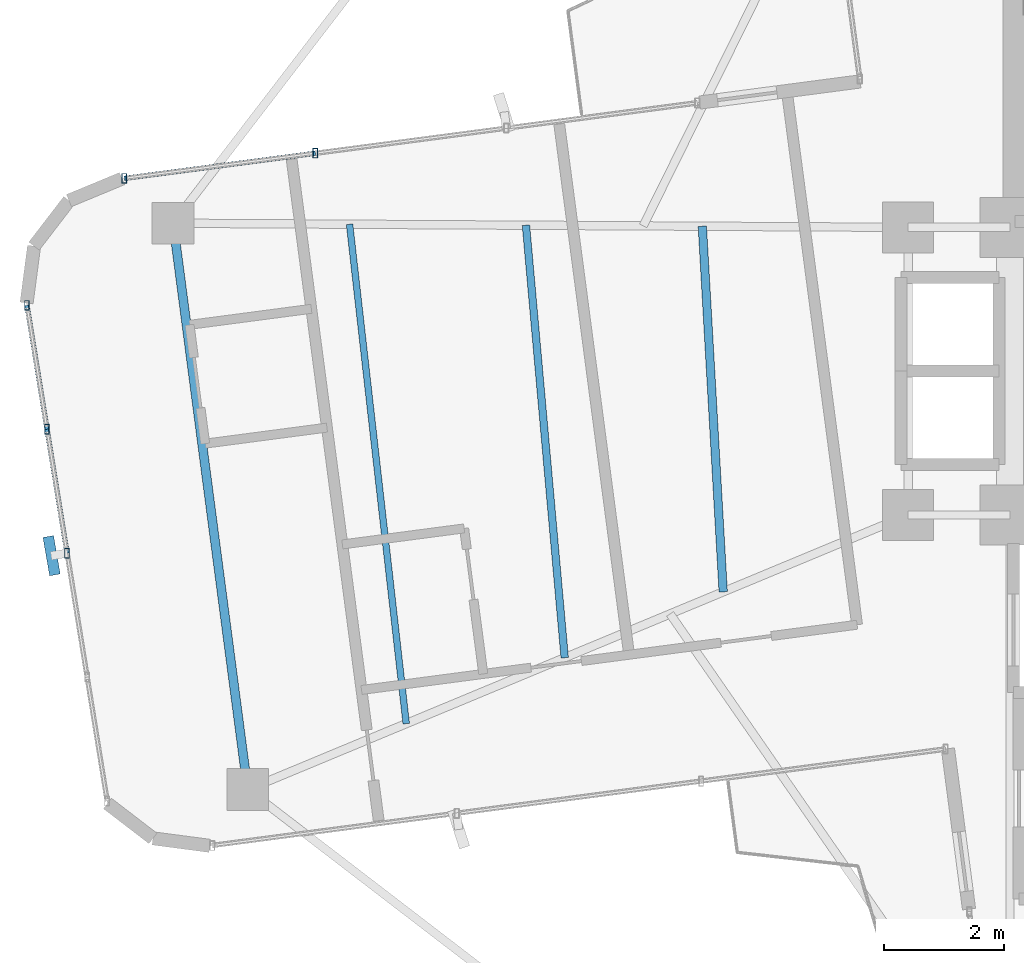
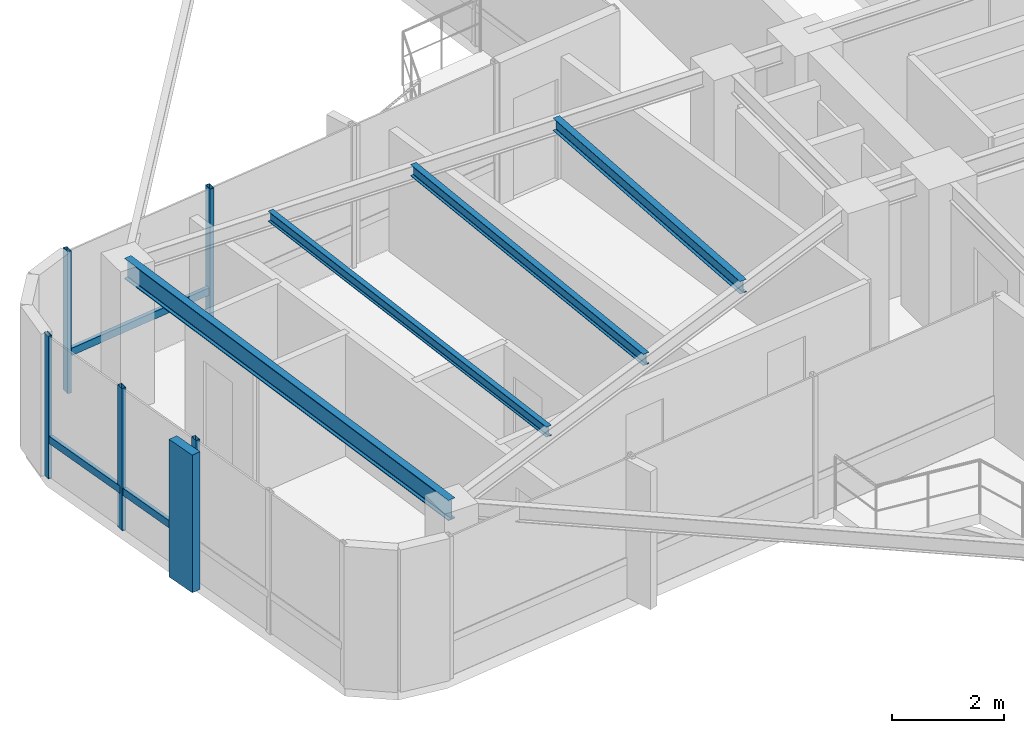
# One storey, part 7 of 22: 9 members, 4 beams, 2 elements without a shape of their own.
"""IFC4 building model written with IfcOpenShell, lengths in metres."""

from ifc_helpers import new_model, si_unit, direction, frame, origin, origin_2d, place, context, subcontext, project, spatial, rectangle, hollow_rectangle, i_section, extrude, source, transform, mapped, material, material_profile, profile_set, type_object, element, aggregate, save


model = new_model("IFC4")

# Units and contexts
model_context = context("Model", 3, precision=1e-05, world=origin(), true_north=direction((0.0, 1.0)))
body_context = subcontext(model_context, "Body", "Model", "MODEL_VIEW")
ifc_project = project(units=[si_unit("LENGTHUNIT", "METRE"), si_unit("AREAUNIT", "SQUARE_METRE"), si_unit("VOLUMEUNIT", "CUBIC_METRE"), si_unit("PLANEANGLEUNIT", "RADIAN"), si_unit("MASSUNIT", "GRAM", prefix="KILO")], contexts=[model_context])

# Site, building, storey
site_placement = place(None, origin())
site = spatial("IfcSite", under=ifc_project, at=site_placement, CompositionType="ELEMENT")
building_placement = place(site_placement, origin())
building = spatial("IfcBuilding", under=site, at=building_placement, Name="Sahyath Konkavel Grand Hotel", CompositionType="ELEMENT")
storey_placement = place(building_placement, frame((0.0, 0.0, 244.5)))
storey = spatial("IfcBuildingStorey", under=building, at=storey_placement, Name="L68", CompositionType="ELEMENT", Elevation=244.5)

# Beams
ifc_material_1 = material(Name="Steel E350", Category="steel")
ifc_material_profile_1 = material_profile(ifc_material_1, i_section(OverallWidth=0.14990234375, OverallDepth=0.449951171875, WebThickness=0.009521484375, FlangeThickness=0.017333984375, FilletRadius=0.014892578125, at=origin_2d()), Name="ISMB 450")
ifc_profile_set_1 = profile_set([ifc_material_profile_1], Name="Steel E350")
beam_type_1 = type_object("IfcBeamType", Name="BM-ISMB450", PredefinedType="BEAM", material=ifc_profile_set_1)
shared_shape_1 = source(origin(), body_context, "Body", "SweptSolid", [
    extrude(i_section(OverallWidth=0.14990234375, OverallDepth=0.449951171875, WebThickness=0.009521484375, FlangeThickness=0.017333984375, FilletRadius=0.014892578125, at=origin_2d()), origin(), (0.0, 0.0, 1.0), 9.533935546875),
])
beam_1_placement = place(storey_placement, frame((-17.767333984375, 2.468994140625, 2.885009765625), z_axis=(0.130546587129, -0.99144217612, 0.0), x_axis=(0.99144217612, 0.130546587129, 0.0)))
element("IfcBeam", 1, at=beam_1_placement, inside=storey, type_object=beam_type_1, Name="L68 Wing Tip Edge Beam W", PredefinedType="BEAM", context=body_context, shape_type="MappedRepresentation", body=[
    mapped(shared_shape_1, transform((0.0, 0.0, 0.0), scale=1.0)),
])
ifc_material_profile_2 = material_profile(ifc_material_1, i_section(OverallWidth=0.139892578125, OverallDepth=0.27490234375, WebThickness=0.00634765625, FlangeThickness=0.0087890625, FilletRadius=0.012939453125, at=origin_2d()), Name="ISLB 275")
ifc_profile_set_2 = profile_set([ifc_material_profile_2], Name="Steel E350")
beam_type_2 = type_object("IfcBeamType", Name="BM-ISLB275", PredefinedType="BEAM", material=ifc_profile_set_2)
shared_shape_2 = source(origin(), body_context, "Body", "SweptSolid", [
    extrude(i_section(OverallWidth=0.139892578125, OverallDepth=0.27490234375, WebThickness=0.00634765625, FlangeThickness=0.0087890625, FilletRadius=0.012939453125, at=origin_2d()), origin(), (0.0, 0.0, 1.0), 6.112548828125),
])
beam_2_placement = place(storey_placement, frame((-8.934814453125, 2.419189453125, 2.972412109375), z_axis=(0.056996329474, -0.998374387906, 0.0), x_axis=(0.998374387906, 0.056996329474, 0.0)))
element("IfcBeam", 2, at=beam_2_placement, inside=storey, type_object=beam_type_2, Name="L68 Secondary Floor Beam W-1", PredefinedType="BEAM", context=body_context, shape_type="MappedRepresentation", body=[
    mapped(shared_shape_2, transform((0.0, 0.0, 0.0), scale=1.0)),
])
ifc_material_profile_3 = material_profile(ifc_material_1, i_section(OverallWidth=0.125, OverallDepth=0.25, WebThickness=0.0068359375, FlangeThickness=0.012451171875, FilletRadius=0.012939453125, at=origin_2d()), Name="ISMB 250")
ifc_profile_set_3 = profile_set([ifc_material_profile_3], Name="Steel E350")
beam_type_3 = type_object("IfcBeamType", Name="BM-ISMB250", PredefinedType="BEAM", material=ifc_profile_set_3)
shared_shape_3 = source(origin(), body_context, "Body", "SweptSolid", [
    extrude(i_section(OverallWidth=0.125, OverallDepth=0.25, WebThickness=0.0068359375, FlangeThickness=0.012451171875, FilletRadius=0.012939453125, at=origin_2d()), origin(), (0.0, 0.0, 1.0), 7.248291015625),
])
beam_3_placement = place(storey_placement, frame((-11.87890625, 2.435791015625, 2.985107421875), z_axis=(0.089260132616, -0.996008347719, 0.0), x_axis=(0.996008347719, 0.089260132616, 0.0)))
element("IfcBeam", 3, at=beam_3_placement, inside=storey, type_object=beam_type_3, Name="L68 Secondary Floor Beam W-2", PredefinedType="BEAM", context=body_context, shape_type="MappedRepresentation", body=[
    mapped(shared_shape_3, transform((0.0, 0.0, 0.0), scale=1.0)),
])
ifc_material_profile_4 = material_profile(ifc_material_1, i_section(OverallWidth=0.110107421875, OverallDepth=0.22509765625, WebThickness=0.006591796875, FlangeThickness=0.01171875, FilletRadius=0.011962890625, at=origin_2d()), Name="ISMB 225")
ifc_profile_set_4 = profile_set([ifc_material_profile_4], Name="Steel E350")
beam_type_4 = type_object("IfcBeamType", Name="BM-ISMB225", PredefinedType="BEAM", material=ifc_profile_set_4)
shared_shape_4 = source(origin(), body_context, "Body", "SweptSolid", [
    extrude(i_section(OverallWidth=0.110107421875, OverallDepth=0.22509765625, WebThickness=0.006591796875, FlangeThickness=0.01171875, FilletRadius=0.011962890625, at=origin_2d()), origin(), (0.0, 0.0, 1.0), 8.38916015625),
])
beam_4_placement = place(storey_placement, frame((-14.822998046875, 2.452392578125, 2.99755859375), z_axis=(0.112740566225, -0.9936244586, 0.0), x_axis=(0.9936244586, 0.112740566225, 0.0)))
element("IfcBeam", 4, at=beam_4_placement, inside=storey, type_object=beam_type_4, Name="L68 Secondary Floor Beam W-3", PredefinedType="BEAM", context=body_context, shape_type="MappedRepresentation", body=[
    mapped(shared_shape_4, transform((0.0, 0.0, 0.0), scale=1.0)),
])

# Curtain wall, member
ifc_material_2 = material(Name="Anodised Bronze Aluminium & Low-E Glazing", Category="aluminium")
curtain_wall_type = type_object("IfcCurtainWallType", Name="CW-ZONE4", PredefinedType="NOTDEFINED", material=ifc_material_2)
curtain_wall_1_placement = place(storey_placement, origin())
curtain_wall_1 = element("IfcCurtainWall", 5, at=curtain_wall_1_placement, inside=storey, type_object=curtain_wall_type, Name="L68 Unitised Curtain Wall F20", PredefinedType="NOTDEFINED")
ifc_material_3 = material(Name="Warm Buff Sandstone Cladding on Concrete C50/60", Category="masonry")
ifc_material_profile_5 = material_profile(ifc_material_3, rectangle(XDim=0.179931640625, YDim=0.64990234375, at=origin_2d()), Name="FIN 180x650")
ifc_profile_set_5 = profile_set([ifc_material_profile_5], Name="Warm Buff Sandstone Cladding on Concrete C50/60")
member_type_1 = type_object("IfcMemberType", Name="FIN-SANDSTONE-650", PredefinedType="MULLION", material=ifc_profile_set_5)
shared_shape_5 = source(origin(), body_context, "Body", "SweptSolid", [
    extrude(rectangle(XDim=0.179931640625, YDim=0.64990234375, at=origin_2d()), origin(), (0.0, 0.0, 1.0), 3.010009765625),
])
member_1_placement = place(storey_placement, frame((-19.79638671875, -3.080322265625, 0.050048828125), z_axis=(0.0, 0.0, 1.0), x_axis=(0.985169280715, 0.171585221787, 0.0)))
member_1 = element("IfcMember", 6, at=member_1_placement, type_object=member_type_1, Name="L68 Sandstone Vertical Solar Fin FIN F20-2", PredefinedType="MULLION", context=body_context, shape_type="MappedRepresentation", body=[
    mapped(shared_shape_5, transform((0.0, 0.0, 0.0), scale=1.0)),
])

# Curtain wall, members
curtain_wall_2_placement = place(storey_placement, origin())
curtain_wall_2 = element("IfcCurtainWall", 7, at=curtain_wall_2_placement, inside=storey, type_object=curtain_wall_type, Name="L68 Unitised Curtain Wall F16", PredefinedType="NOTDEFINED")
ifc_material_4 = material(Name="Anodised Bronze Aluminium", Category="aluminium")
ifc_material_profile_6 = material_profile(ifc_material_4, hollow_rectangle(XDim=0.080078125, YDim=0.159912109375, WallThickness=0.006103515625, at=origin_2d()), Name="RHS 160x80x6")
ifc_profile_set_6 = profile_set([ifc_material_profile_6], Name="Anodised Bronze Aluminium")
member_type_2 = type_object("IfcMemberType", Name="CW-MUL-160", PredefinedType="MULLION", material=ifc_profile_set_6)
shared_shape_6 = source(origin(), body_context, "Body", "SweptSolid", [
    extrude(hollow_rectangle(XDim=0.080078125, YDim=0.159912109375, WallThickness=0.006103515625, at=origin_2d()), origin(), (0.0, 0.0, 1.0), 3.110107421875),
])
member_2_placement = place(storey_placement, frame((-15.394287109375, 3.638916015625, 0.0), z_axis=(0.0, 0.0, 1.0), x_axis=(1.0, 0.0, 0.0)))
member_2 = element("IfcMember", 8, at=member_2_placement, type_object=member_type_2, Name="L68 Curtain Wall Mullion F16-2", PredefinedType="MULLION", context=body_context, shape_type="MappedRepresentation", body=[
    mapped(shared_shape_6, transform((0.0, 0.0, 0.0), scale=1.0)),
])
member_3_placement = place(storey_placement, frame((-18.58203125, 3.218994140625, 0.0), z_axis=(0.0, 0.0, 1.0), x_axis=(1.0, 0.0, 0.0)))
member_3 = element("IfcMember", 9, at=member_3_placement, type_object=member_type_2, Name="L68 Curtain Wall Mullion F16-3", PredefinedType="MULLION", context=body_context, shape_type="MappedRepresentation", body=[
    mapped(shared_shape_6, transform((0.0, 0.0, 0.0), scale=1.0)),
])

# Member
member_4_placement = place(storey_placement, frame((-20.2080078125, 1.0986328125, 0.0), z_axis=(0.0, 0.0, 1.0), x_axis=(1.0, 0.0, 0.0)))
member_4 = element("IfcMember", 10, at=member_4_placement, type_object=member_type_2, Name="L68 Curtain Wall Mullion F20-0", PredefinedType="MULLION", context=body_context, shape_type="MappedRepresentation", body=[
    mapped(shared_shape_6, transform((0.0, 0.0, 0.0), scale=1.0)),
])

member_5_placement = place(storey_placement, frame((-19.873779296875, -0.97021484375, 0.0), z_axis=(0.0, 0.0, 1.0), x_axis=(1.0, 0.0, 0.0)))
member_5 = element("IfcMember", 11, at=member_5_placement, type_object=member_type_2, Name="L68 Curtain Wall Mullion F20-1", PredefinedType="MULLION", context=body_context, shape_type="MappedRepresentation", body=[
    mapped(shared_shape_6, transform((0.0, 0.0, 0.0), scale=1.0)),
])

member_6_placement = place(storey_placement, frame((-19.53955078125, -3.038818359375, 0.0), z_axis=(0.0, 0.0, 1.0), x_axis=(1.0, 0.0, 0.0)))
member_6 = element("IfcMember", 12, at=member_6_placement, type_object=member_type_2, Name="L68 Curtain Wall Mullion F20-2", PredefinedType="MULLION", context=body_context, shape_type="MappedRepresentation", body=[
    mapped(shared_shape_6, transform((0.0, 0.0, 0.0), scale=1.0)),
])

ifc_material_profile_7 = material_profile(ifc_material_4, hollow_rectangle(XDim=0.080078125, YDim=0.159912109375, WallThickness=0.006103515625, at=origin_2d()), Name="RHS 160x80x6")
ifc_profile_set_7 = profile_set([ifc_material_profile_7], Name="Anodised Bronze Aluminium")
member_type_3 = type_object("IfcMemberType", Name="CW-TRN-160", PredefinedType="USERDEFINED", material=ifc_profile_set_7)
shared_shape_7 = source(origin(), body_context, "Body", "SweptSolid", [
    extrude(hollow_rectangle(XDim=0.080078125, YDim=0.159912109375, WallThickness=0.006103515625, at=origin_2d()), origin(), (0.0, 0.0, 1.0), 3.21533203125),
])
member_7_placement = place(storey_placement, frame((-15.394287109375, 3.638916015625, 0.85009765625), z_axis=(-0.991434901184, -0.130601825078, 0.0), x_axis=(0.130601825078, -0.991434901184, 0.0)))
member_7 = element("IfcMember", 13, at=member_7_placement, type_object=member_type_3, Name="L68 Curtain Wall Transom F16-2-spandrel", ObjectType="TRANSOM", PredefinedType="USERDEFINED", context=body_context, shape_type="MappedRepresentation", body=[
    mapped(shared_shape_7, transform((0.0, 0.0, 0.0), scale=1.0)),
])

aggregate(curtain_wall_2, [member_2, member_3, member_7])

shared_shape_8 = source(origin(), body_context, "Body", "SweptSolid", [
    extrude(hollow_rectangle(XDim=0.080078125, YDim=0.159912109375, WallThickness=0.006103515625, at=origin_2d()), origin(), (0.0, 0.0, 1.0), 2.095703125),
])
member_8_placement = place(storey_placement, frame((-20.2080078125, 1.0986328125, 0.85009765625), z_axis=(0.159485160059, -0.987200326034, 0.0), x_axis=(0.987200326034, 0.159485160059, 0.0)))
member_8 = element("IfcMember", 14, at=member_8_placement, type_object=member_type_3, Name="L68 Curtain Wall Transom F20-0-spandrel", ObjectType="TRANSOM", PredefinedType="USERDEFINED", context=body_context, shape_type="MappedRepresentation", body=[
    mapped(shared_shape_8, transform((0.0, 0.0, 0.0), scale=1.0)),
])

shared_shape_9 = source(origin(), body_context, "Body", "SweptSolid", [
    extrude(hollow_rectangle(XDim=0.080078125, YDim=0.159912109375, WallThickness=0.006103515625, at=origin_2d()), origin(), (0.0, 0.0, 1.0), 2.095458984375),
])
member_9_placement = place(storey_placement, frame((-19.873779296875, -0.97021484375, 0.85009765625), z_axis=(0.15950350396, -0.987197362347, 0.0), x_axis=(0.987197362347, 0.15950350396, 0.0)))
member_9 = element("IfcMember", 15, at=member_9_placement, type_object=member_type_3, Name="L68 Curtain Wall Transom F20-1-spandrel", ObjectType="TRANSOM", PredefinedType="USERDEFINED", context=body_context, shape_type="MappedRepresentation", body=[
    mapped(shared_shape_9, transform((0.0, 0.0, 0.0), scale=1.0)),
])

aggregate(curtain_wall_1, [member_4, member_5, member_6, member_1, member_8, member_9])

save(model, "model.ifc")
